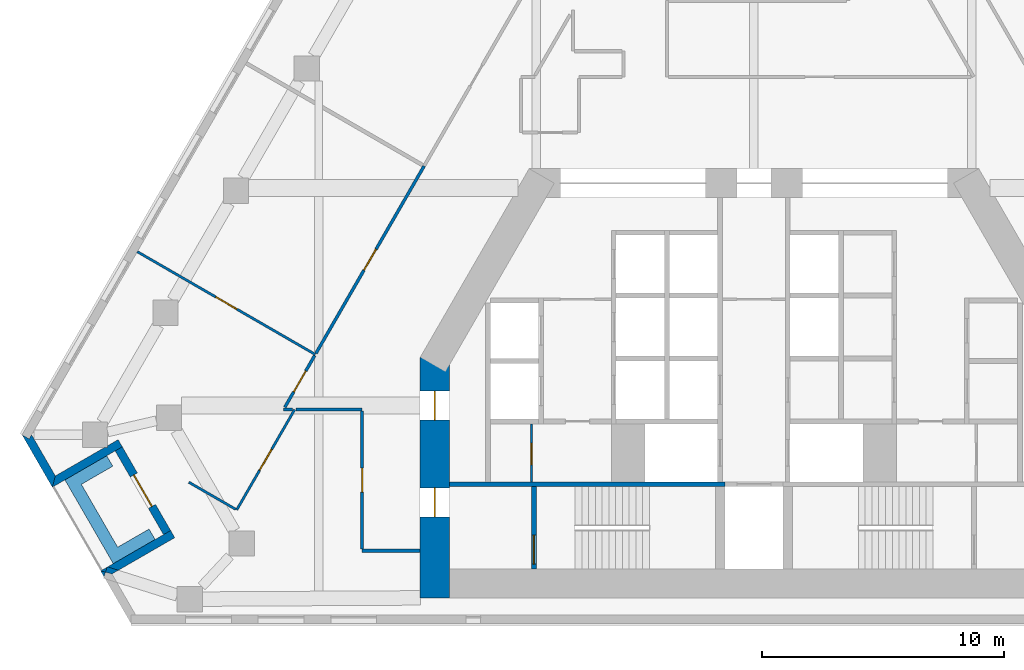
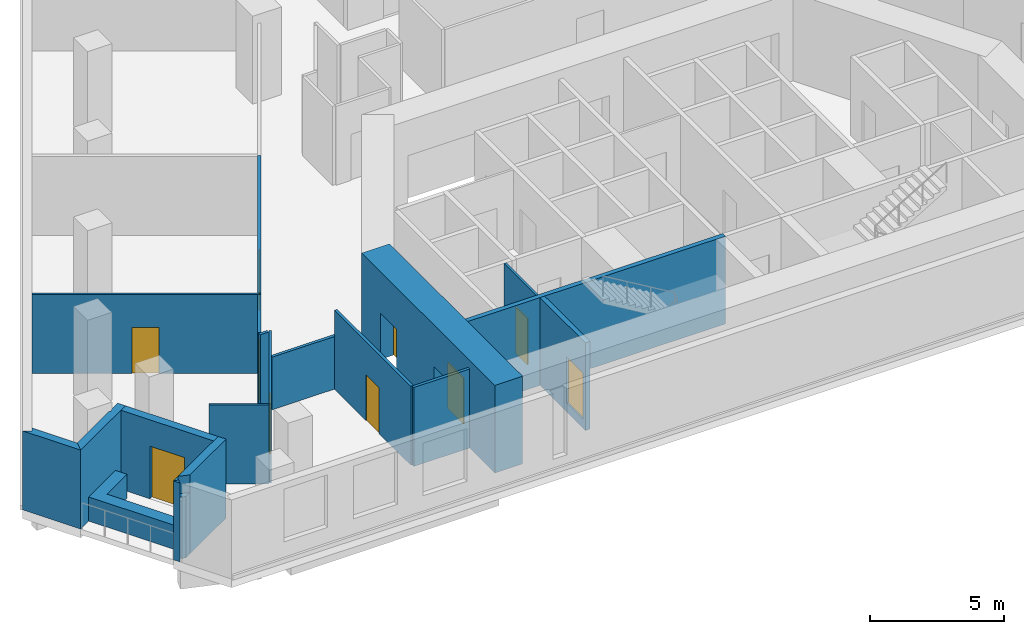
# One storey, part 3 of 10: 21 walls, 10 doors, 10 openings.
"""IFC4 building model written with IfcOpenShell, lengths in metres."""

from ifc_helpers import new_model, si_unit, direction, frame, frame_2d, origin, place, context, subcontext, project, spatial, polyline, rectangle, outline, extrude, material, layer, layer_set, type_object, element, fill, save


model = new_model("IFC4")

# Units and contexts
model_context = context("Model", 3, precision=1e-05, world=origin(), true_north=direction((0.0, 1.0)))
body_context = subcontext(model_context, "Body", "Model", "MODEL_VIEW")
ifc_project = project(units=[si_unit("LENGTHUNIT", "METRE"), si_unit("AREAUNIT", "SQUARE_METRE"), si_unit("VOLUMEUNIT", "CUBIC_METRE"), si_unit("PLANEANGLEUNIT", "RADIAN"), si_unit("MASSUNIT", "GRAM", prefix="KILO")], contexts=[model_context])

# Site, building, storey
site_placement = place(None, origin())
site = spatial("IfcSite", under=ifc_project, at=site_placement, CompositionType="ELEMENT")
building_placement = place(site_placement, origin())
building = spatial("IfcBuilding", under=site, at=building_placement, Name="Fogline Exchange Tower", CompositionType="ELEMENT")
storey_placement = place(building_placement, frame((0.0, 0.0, 108.10009765625)))
storey = spatial("IfcBuildingStorey", under=building, at=storey_placement, Name="L23", CompositionType="ELEMENT", Elevation=108.10009765625)

# Wall, opening, door
ifc_material_1 = material(Name="Blockwork partition", Category="masonry")
ifc_layer_1 = layer(ifc_material_1, 0.10009765625)
ifc_layer_set_1 = layer_set([ifc_layer_1], Name="CW10")
wall_type_1 = type_object("IfcWallType", Name="CW10", PredefinedType="PARTITIONING", material=ifc_layer_set_1)
wall_1_placement = place(storey_placement, frame((-9.199951171875, 5.85009765625, 0.0), z_axis=(0.0, 0.0, 1.0), x_axis=(0.0, 1.0, 0.0)))
wall_1 = element("IfcWall", 1, at=wall_1_placement, inside=storey, type_object=wall_type_1, Name="WC partition", PredefinedType="PARTITIONING", context=body_context, shape_type="SweptSolid", body=[
    extrude(rectangle(XDim=2.39990234375, YDim=0.10009765625, at=frame_2d((1.199951171875, 0.0))), origin(), (0.0, 0.0, 1.0), 3.599853515625),
])
opening_1_placement = place(wall_1_placement, frame((0.699951171875, 0.0, 0.0)))
opening_1 = element("IfcOpeningElement", 2, at=opening_1_placement, cuts=wall_1, Name="Opening T07-C009", PredefinedType="OPENING", context=body_context, shape_type="SweptSolid", body=[
    extrude(rectangle(XDim=0.89990234375, YDim=2.10009765625, at=frame_2d((0.449951171875, 1.050048828125))), frame((0.0, 0.06005859375, 0.0), z_axis=(0.0, -1.0, 0.0), x_axis=(1.0, 0.0, 0.0)), (0.0, 0.0, 1.0), 0.1201171875),
])
ifc_material_2 = material(Name="Steel and timber fire door", Category="steel")
door_type_1 = type_object("IfcDoorType", Name="D-CS1", OperationType="SINGLE_SWING_RIGHT", PredefinedType="DOOR", material=ifc_material_2)
door_1_placement = place(opening_1_placement, origin())
door_1 = element("IfcDoor", 3, at=door_1_placement, inside=storey, type_object=door_type_1, Name="Door to Cleaner's Store", OperationType="SINGLE_SWING_LEFT", OverallHeight=2.10009765625, OverallWidth=0.89990234375, PredefinedType="DOOR", context=body_context, shape_type="SweptSolid", body=[
    extrude(rectangle(XDim=0.89990234375, YDim=2.10009765625, at=frame_2d((0.449951171875, 1.050048828125))), frame((0.0, 0.02490234375, 0.0), z_axis=(0.0, -1.0, 0.0), x_axis=(1.0, 0.0, 0.0)), (0.0, 0.0, 1.0), 0.050048828125),
])
fill(opening_1, door_1)

# Wall
ifc_material_3 = material(Name="Concrete C40", Category="concrete")
ifc_layer_2 = layer(ifc_material_3, 0.199951171875)
ifc_layer_set_2 = layer_set([ifc_layer_2], Name="CW20R")
wall_type_2 = type_object("IfcWallType", Name="CW20R", PredefinedType="SOLIDWALL", material=ifc_layer_set_2)
wall_2_placement = place(storey_placement, frame((-12.60009765625, 5.75, -0.400146484375), z_axis=(0.0, 0.0, 1.0), x_axis=(1.0, 0.0, 0.0)))
element("IfcWall", 4, at=wall_2_placement, inside=storey, type_object=wall_type_2, Name="Stair enclosure wall", PredefinedType="SOLIDWALL", context=body_context, shape_type="SweptSolid", body=[
    extrude(rectangle(XDim=11.400146484375, YDim=0.199951171875, at=frame_2d((5.7001953125, 0.0))), origin(), (0.0, 0.0, 1.0), 4.0),
])

# Wall, opening, door
wall_3_placement = place(storey_placement, frame((-9.10009765625, 2.25, -0.400146484375), z_axis=(0.0, 0.0, 1.0), x_axis=(0.0, 1.0, 0.0)))
wall_3 = element("IfcWall", 5, at=wall_3_placement, inside=storey, type_object=wall_type_2, Name="Stair enclosure wall", PredefinedType="SOLIDWALL", context=body_context, shape_type="SweptSolid", body=[
    extrude(rectangle(XDim=3.39990234375, YDim=0.199951171875, at=frame_2d((1.699951171875, 0.0))), origin(), (0.0, 0.0, 1.0), 4.0),
])
opening_2_placement = place(wall_3_placement, frame((0.199951171875, 0.0, 0.39990234375)))
opening_2 = element("IfcOpeningElement", 6, at=opening_2_placement, cuts=wall_3, Name="Opening T07-C011", PredefinedType="OPENING", context=body_context, shape_type="SweptSolid", body=[
    extrude(rectangle(XDim=1.199951171875, YDim=2.10009765625, at=frame_2d((0.60009765625, 1.050048828125))), frame((0.0, 0.10986328125, 0.0), z_axis=(0.0, -1.0, 0.0), x_axis=(1.0, 0.0, 0.0)), (0.0, 0.0, 1.0), 0.219970703125),
])
door_type_2 = type_object("IfcDoorType", Name="D-ST1", OperationType="SINGLE_SWING_LEFT", PredefinedType="DOOR", material=ifc_material_2)
door_2_placement = place(opening_2_placement, frame((1.199951171875, 0.0, 0.0), z_axis=(0.0, 0.0, 1.0), x_axis=(-1.0, 0.0, 0.0)))
door_2 = element("IfcDoor", 7, at=door_2_placement, inside=storey, type_object=door_type_2, Name="Stair door ST1", OperationType="SINGLE_SWING_RIGHT", OverallHeight=2.10009765625, OverallWidth=1.199951171875, PredefinedType="DOOR", context=body_context, shape_type="SweptSolid", body=[
    extrude(rectangle(XDim=1.199951171875, YDim=2.10009765625, at=frame_2d((0.60009765625, 1.050048828125))), frame((0.0, 0.02490234375, 0.0), z_axis=(0.0, -1.0, 0.0), x_axis=(1.0, 0.0, 0.0)), (0.0, 0.0, 1.0), 0.050048828125),
])
fill(opening_2, door_2)

# Walls
ifc_material_4 = material(Name="Brick masonry", Category="masonry")
ifc_layer_3 = layer(ifc_material_4, 0.340087890625)
ifc_layer_set_3 = layer_set([ifc_layer_3], Name="FW1")
wall_type_3 = type_object("IfcWallType", Name="FW1", PredefinedType="SOLIDWALL", material=ifc_layer_set_3)
wall_4_placement = place(storey_placement, origin())
element("IfcWall", 8, at=wall_4_placement, inside=storey, type_object=wall_type_3, Name="Brick wall L23 SW-c1", PredefinedType="SOLIDWALL", context=body_context, shape_type="SweptSolid", body=[
    extrude(outline(polyline([(-29.015625, 5.6279296875), (-30.2666015625, 7.794921875), (-30.266357421875, 7.79541015625), (-29.971435546875, 7.625), (-29.873046875, 7.79541015625), (-28.890625, 6.09375), (-29.015380859375, 5.6279296875), (-29.015625, 5.6279296875)])), origin(), (0.0, 0.0, 1.0), 3.599853515625),
])
wall_5_placement = place(storey_placement, origin())
element("IfcWall", 9, at=wall_5_placement, inside=storey, type_object=wall_type_3, Name="Brick wall L23 SW-s1", PredefinedType="SOLIDWALL", context=body_context, shape_type="SweptSolid", body=[
    extrude(outline(polyline([(-26.856201171875, 7.269287109375), (-26.72412109375, 7.269287109375), (-26.72412109375, 7.345458984375), (-26.29296875, 7.594482421875), (-26.122314453125, 7.298828125), (-26.417236328125, 7.128662109375), (-29.016357421875, 5.628173828125), (-29.0166015625, 5.62841796875), (-28.8916015625, 6.093994140625), (-26.856201171875, 7.269287109375)])), origin(), (0.0, 0.0, 1.0), 3.599853515625),
])

# Wall, opening, door
wall_6_placement = place(storey_placement, frame((-26.270263671875, 7.214111328125, 0.0), z_axis=(0.0, 0.0, 1.0), x_axis=(0.49999894854, -0.866026010844, 0.0)))
wall_6 = element("IfcWall", 10, at=wall_6_placement, inside=storey, type_object=wall_type_3, Name="Brick wall L23 SW-bk", PredefinedType="SOLIDWALL", context=body_context, shape_type="SweptSolid", body=[
    extrude(rectangle(XDim=4.0, YDim=0.340087890625, at=frame_2d((2.0, 0.0))), origin(), (0.0, 0.0, 1.0), 3.599853515625),
])
opening_3_placement = place(wall_6_placement, frame((1.25, 0.0, 0.0)))
opening_3 = element("IfcOpeningElement", 11, at=opening_3_placement, cuts=wall_6, Name="Opening T07-E021", PredefinedType="OPENING", context=body_context, shape_type="SweptSolid", body=[
    extrude(rectangle(XDim=1.5, YDim=2.39990234375, at=frame_2d((0.75, 1.199951171875))), frame((0.0, 0.18017578125, 0.0), z_axis=(0.0, -1.0, 0.0), x_axis=(1.0, 0.0, 0.0)), (0.0, 0.0, 1.0), 0.360107421875),
])
ifc_material_5 = material(Name="Aluminium and glass", Category="aluminium")
door_type_3 = type_object("IfcDoorType", Name="ED4", OperationType="SINGLE_SWING_LEFT", PredefinedType="DOOR", material=ifc_material_5)
door_3_placement = place(opening_3_placement, frame((1.5, 0.0, 0.0), z_axis=(0.0, 0.0, 1.0), x_axis=(-1.0, 0.0, 0.0)))
door_3 = element("IfcDoor", 12, at=door_3_placement, inside=storey, type_object=door_type_3, Name="Balcony door L23 SW", OperationType="DOUBLE_DOOR_SINGLE_SWING", OverallHeight=2.39990234375, OverallWidth=1.5, PredefinedType="DOOR", context=body_context, shape_type="SweptSolid", body=[
    extrude(rectangle(XDim=1.5, YDim=2.39990234375, at=frame_2d((0.75, 1.199951171875))), frame((0.0, 0.02490234375, 0.0), z_axis=(0.0, -1.0, 0.0), x_axis=(1.0, 0.0, 0.0)), (0.0, 0.0, 1.0), 0.050048828125),
])
fill(opening_3, door_3)

# Walls
wall_7_placement = place(storey_placement, origin())
element("IfcWall", 13, at=wall_7_placement, inside=storey, type_object=wall_type_3, Name="Brick wall L23 SW-s2", PredefinedType="SOLIDWALL", context=body_context, shape_type="SweptSolid", body=[
    extrude(outline(polyline([(-26.727294921875, 2.332275390625), (-26.28564453125, 2.193359375), (-26.551025390625, 2.0400390625), (-26.817626953125, 2.111328125), (-26.752685546875, 2.317626953125), (-26.727294921875, 2.332275390625)])), origin(), (0.0, 0.0, 1.0), 2.7998046875),
])
wall_8_placement = place(storey_placement, origin())
element("IfcWall", 14, at=wall_8_placement, inside=storey, type_object=wall_type_3, Name="Brick wall L23 SW-s2", PredefinedType="SOLIDWALL", context=body_context, shape_type="SweptSolid", body=[
    extrude(outline(polyline([(-26.752685546875, 2.317626953125), (-26.817626953125, 2.111328125), (-27.016845703125, 2.164794921875), (-27.016845703125, 2.1650390625), (-26.752685546875, 2.317626953125)])), origin(), (0.0, 0.0, 1.0), 3.599853515625),
])
wall_9_placement = place(storey_placement, origin())
element("IfcWall", 15, at=wall_9_placement, inside=storey, type_object=wall_type_3, Name="Brick wall L23 SW-s2", PredefinedType="SOLIDWALL", context=body_context, shape_type="SweptSolid", body=[
    extrude(outline(polyline([(-24.41796875, 3.66552734375), (-24.122802734375, 3.8359375), (-23.952392578125, 3.540283203125), (-26.28564453125, 2.193359375), (-26.727294921875, 2.332275390625), (-24.41796875, 3.66552734375)])), origin(), (0.0, 0.0, 1.0), 3.599853515625),
])
wall_10_placement = place(storey_placement, origin())
element("IfcWall", 16, at=wall_10_placement, inside=storey, type_object=wall_type_3, Name="Brick wall L23 SW-c2", PredefinedType="SOLIDWALL", context=body_context, shape_type="SweptSolid", body=[
    extrude(outline(polyline([(-27.0166015625, 2.165771484375), (-27.0166015625, 2.166015625), (-26.817138671875, 2.112548828125), (-26.876708984375, 1.92333984375), (-27.0166015625, 2.165771484375)])), origin(), (0.0, 0.0, 1.0), 3.599853515625),
])
ifc_material_6 = material(Name="Concrete C30", Category="concrete")
ifc_layer_4 = layer(ifc_material_6, 0.199951171875)
ifc_layer_set_4 = layer_set([ifc_layer_4], Name="PL1")
wall_type_4 = type_object("IfcWallType", Name="PL1", PredefinedType="USERDEFINED", material=ifc_layer_set_4)
wall_11_placement = place(storey_placement, origin())
element("IfcWall", 17, at=wall_11_placement, inside=storey, type_object=wall_type_4, Name="PLANTER balcony L23 SW", ObjectType="PLANTER", PredefinedType="USERDEFINED", context=body_context, shape_type="SweptSolid", body=[
    extrude(outline(polyline([(-25.013916015625, 3.898193359375), (-26.31298828125, 3.148193359375), (-27.81298828125, 5.74609375), (-26.513916015625, 6.49609375), (-26.763916015625, 6.92919921875), (-28.49609375, 5.92919921875), (-26.49609375, 2.465087890625), (-26.06298828125, 2.715087890625), (-26.06298828125, 2.715087890625), (-24.763916015625, 3.465087890625), (-25.013916015625, 3.898193359375)])), origin(), (0.0, 0.0, 1.0), 1.099853515625),
])

# Wall, opening, door
ifc_material_7 = material(Name="Plasterboard partition, 2 layers each side on steel studs", Category="steel")
ifc_layer_5 = layer(ifc_material_7, 0.10009765625)
ifc_layer_set_5 = layer_set([ifc_layer_5], Name="PW1")
wall_type_5 = type_object("IfcWallType", Name="PW1", PredefinedType="PARTITIONING", material=ifc_layer_set_5)
wall_12_placement = place(storey_placement, frame((-18.139892578125, 11.11669921875, 0.0), z_axis=(0.0, 0.0, 1.0), x_axis=(-0.866021522889, 0.500006721848, 0.0)))
wall_12 = element("IfcWall", 18, at=wall_12_placement, inside=storey, type_object=wall_type_5, Name="wall-L23-W048", PredefinedType="PARTITIONING", context=body_context, shape_type="SweptSolid", body=[
    extrude(rectangle(XDim=8.5, YDim=0.10009765625, at=frame_2d((4.25, 0.0))), origin(), (0.0, 0.0, 1.0), 3.599853515625),
])
opening_4_placement = place(wall_12_placement, frame((3.75, 0.0, 0.0)))
opening_4 = element("IfcOpeningElement", 19, at=opening_4_placement, cuts=wall_12, Name="Opening T07-D017", PredefinedType="OPENING", context=body_context, shape_type="SweptSolid", body=[
    extrude(rectangle(XDim=1.0, YDim=2.10009765625, at=frame_2d((0.5, 1.050048828125))), frame((0.0, 0.06005859375, 0.0), z_axis=(0.0, -1.0, 0.0), x_axis=(1.0, 0.0, 0.0)), (0.0, 0.0, 1.0), 0.1201171875),
])
ifc_material_8 = material(Name="Timber door leaf with steel frame", Category="steel")
door_type_4 = type_object("IfcDoorType", Name="D1", OperationType="SINGLE_SWING_LEFT", PredefinedType="DOOR", material=ifc_material_8)
door_4_placement = place(opening_4_placement, origin())
door_4 = element("IfcDoor", 20, at=door_4_placement, inside=storey, type_object=door_type_4, Name="door-L23-D017", OperationType="SINGLE_SWING_LEFT", OverallHeight=2.10009765625, OverallWidth=1.0, PredefinedType="DOOR", context=body_context, shape_type="SweptSolid", body=[
    extrude(rectangle(XDim=1.0, YDim=2.10009765625, at=frame_2d((0.5, 1.050048828125))), frame((0.0, 0.02490234375, 0.0), z_axis=(0.0, -1.0, 0.0), x_axis=(1.0, 0.0, 0.0)), (0.0, 0.0, 1.0), 0.050048828125),
])
fill(opening_4, door_4)

wall_13_placement = place(storey_placement, frame((-18.992431640625, 8.840087890625, 0.0), z_axis=(0.0, 0.0, 1.0), x_axis=(-0.499989916489, -0.866031225424, 0.0)))
wall_13 = element("IfcWall", 21, at=wall_13_placement, inside=storey, type_object=wall_type_5, Name="wall-L23-W049", PredefinedType="PARTITIONING", context=body_context, shape_type="SweptSolid", body=[
    extrude(rectangle(XDim=4.79345703125, YDim=0.10009765625, at=frame_2d((2.396728515625, 0.0))), origin(), (0.0, 0.0, 1.0), 3.599853515625),
])
opening_5_placement = place(wall_13_placement, frame((1.896728515625, 0.0, 0.0)))
opening_5 = element("IfcOpeningElement", 22, at=opening_5_placement, cuts=wall_13, Name="Opening T07-D018", PredefinedType="OPENING", context=body_context, shape_type="SweptSolid", body=[
    extrude(rectangle(XDim=1.0, YDim=2.10009765625, at=frame_2d((0.5, 1.050048828125))), frame((0.0, 0.06005859375, 0.0), z_axis=(0.0, -1.0, 0.0), x_axis=(1.0, 0.0, 0.0)), (0.0, 0.0, 1.0), 0.1201171875),
])
door_5_placement = place(opening_5_placement, origin())
door_5 = element("IfcDoor", 23, at=door_5_placement, inside=storey, type_object=door_type_4, Name="door-L23-D018", OperationType="SINGLE_SWING_LEFT", OverallHeight=2.10009765625, OverallWidth=1.0, PredefinedType="DOOR", context=body_context, shape_type="SweptSolid", body=[
    extrude(rectangle(XDim=1.0, YDim=2.10009765625, at=frame_2d((0.5, 1.050048828125))), frame((0.0, 0.02490234375, 0.0), z_axis=(0.0, -1.0, 0.0), x_axis=(1.0, 0.0, 0.0)), (0.0, 0.0, 1.0), 0.050048828125),
])
fill(opening_5, door_5)

# Walls
wall_14_placement = place(storey_placement, frame((-21.432373046875, 4.7138671875, 0.0), z_axis=(0.0, 0.0, 1.0), x_axis=(-0.866020361036, 0.500008734195, 0.0)))
element("IfcWall", 24, at=wall_14_placement, inside=storey, type_object=wall_type_5, Name="wall-L23-W050", PredefinedType="PARTITIONING", context=body_context, shape_type="SweptSolid", body=[
    extrude(rectangle(XDim=2.2392578125, YDim=0.10009765625, at=frame_2d((1.11962890625, 0.0))), origin(), (0.0, 0.0, 1.0), 3.599853515625),
])
ifc_material_9 = material(Name="Plasterboard corridor partition with mineral wool, 2 layers each side")
ifc_layer_6 = layer(ifc_material_9, 0.125)
ifc_layer_set_6 = layer_set([ifc_layer_6], Name="PW2")
wall_type_6 = type_object("IfcWallType", Name="PW2", PredefinedType="PARTITIONING", material=ifc_layer_set_6)
wall_15_placement = place(storey_placement, frame((-13.800048828125, 3.0, 0.0), z_axis=(0.0, 0.0, 1.0), x_axis=(-1.0, 0.0, 0.0)))
element("IfcWall", 25, at=wall_15_placement, inside=storey, type_object=wall_type_6, Name="wall-L23-W008", PredefinedType="PARTITIONING", context=body_context, shape_type="SweptSolid", body=[
    extrude(rectangle(XDim=2.39990234375, YDim=0.125, at=frame_2d((1.199951171875, 0.0))), origin(), (0.0, 0.0, 1.0), 3.599853515625),
])

# Wall, opening, door
wall_16_placement = place(storey_placement, frame((-16.199951171875, 3.0625, 0.0), z_axis=(0.0, 0.0, 1.0), x_axis=(0.0, 1.0, 0.0)))
wall_16 = element("IfcWall", 26, at=wall_16_placement, inside=storey, type_object=wall_type_6, Name="wall-L23-W009", PredefinedType="PARTITIONING", context=body_context, shape_type="SweptSolid", body=[
    extrude(rectangle(XDim=5.715087890625, YDim=0.125, at=frame_2d((2.857421875, 0.0))), origin(), (0.0, 0.0, 1.0), 3.599853515625),
])
opening_6_placement = place(wall_16_placement, frame((2.357421875, 0.0, 0.0)))
opening_6 = element("IfcOpeningElement", 27, at=opening_6_placement, cuts=wall_16, Name="Opening T07-D004", PredefinedType="OPENING", context=body_context, shape_type="SweptSolid", body=[
    extrude(rectangle(XDim=1.0, YDim=2.10009765625, at=frame_2d((0.5, 1.050048828125))), frame((0.0, 0.072509765625, 0.0), z_axis=(0.0, -1.0, 0.0), x_axis=(1.0, 0.0, 0.0)), (0.0, 0.0, 1.0), 0.14501953125),
])
ifc_material_10 = material(Name="Fire-rated timber door leaf with steel frame", Category="steel")
door_type_5 = type_object("IfcDoorType", Name="D3", OperationType="SINGLE_SWING_LEFT", PredefinedType="DOOR", material=ifc_material_10)
door_6_placement = place(opening_6_placement, origin())
door_6 = element("IfcDoor", 28, at=door_6_placement, inside=storey, type_object=door_type_5, Name="door-L23-D004", OperationType="SINGLE_SWING_LEFT", OverallHeight=2.10009765625, OverallWidth=1.0, PredefinedType="DOOR", context=body_context, shape_type="SweptSolid", body=[
    extrude(rectangle(XDim=1.0, YDim=2.10009765625, at=frame_2d((0.5, 1.050048828125))), frame((0.0, 0.02490234375, 0.0), z_axis=(0.0, -1.0, 0.0), x_axis=(1.0, 0.0, 0.0)), (0.0, 0.0, 1.0), 0.050048828125),
])
fill(opening_6, door_6)

wall_17_placement = place(storey_placement, frame((-18.114501953125, 11.160400390625, 0.0), z_axis=(0.0, 0.0, 1.0), x_axis=(0.49998850867, 0.866032038205, 0.0)))
wall_17 = element("IfcWall", 29, at=wall_17_placement, inside=storey, type_object=wall_type_6, Name="wall-L23-W015", PredefinedType="PARTITIONING", context=body_context, shape_type="SweptSolid", body=[
    extrude(rectangle(XDim=8.949462890625, YDim=0.125, at=frame_2d((4.474609375, 0.0))), origin(), (0.0, 0.0, 1.0), 3.599853515625),
])
opening_7_placement = place(wall_17_placement, frame((3.974609375, 0.0, 0.0)))
opening_7 = element("IfcOpeningElement", 30, at=opening_7_placement, cuts=wall_17, Name="Opening T07-D007", PredefinedType="OPENING", context=body_context, shape_type="SweptSolid", body=[
    extrude(rectangle(XDim=1.0, YDim=2.10009765625, at=frame_2d((0.5, 1.050048828125))), frame((0.0, 0.072509765625, 0.0), z_axis=(0.0, -1.0, 0.0), x_axis=(1.0, 0.0, 0.0)), (0.0, 0.0, 1.0), 0.14501953125),
])
door_7_placement = place(opening_7_placement, origin())
door_7 = element("IfcDoor", 31, at=door_7_placement, inside=storey, type_object=door_type_5, Name="door-L23-D007", OperationType="SINGLE_SWING_LEFT", OverallHeight=2.10009765625, OverallWidth=1.0, PredefinedType="DOOR", context=body_context, shape_type="SweptSolid", body=[
    extrude(rectangle(XDim=1.0, YDim=2.10009765625, at=frame_2d((0.5, 1.050048828125))), frame((0.0, 0.02490234375, 0.0), z_axis=(0.0, -1.0, 0.0), x_axis=(1.0, 0.0, 0.0)), (0.0, 0.0, 1.0), 0.050048828125),
])
fill(opening_7, door_7)

# Wall
wall_18_placement = place(storey_placement, frame((-19.086669921875, 8.840087890625, 0.0), z_axis=(0.0, 0.0, 1.0), x_axis=(-1.0, 0.0, 0.0)))
element("IfcWall", 32, at=wall_18_placement, inside=storey, type_object=wall_type_6, Name="wall-L23-W016", PredefinedType="PARTITIONING", context=body_context, shape_type="SweptSolid", body=[
    extrude(rectangle(XDim=0.36767578125, YDim=0.125, at=frame_2d((0.183837890625, 0.0))), origin(), (0.0, 0.0, 1.0), 3.599853515625),
])

# Wall, opening, door
wall_19_placement = place(storey_placement, frame((-19.39990234375, 8.93408203125, 0.0), z_axis=(0.0, 0.0, 1.0), x_axis=(0.499987714637, 0.866032496626, 0.0)))
wall_19 = element("IfcWall", 33, at=wall_19_placement, inside=storey, type_object=wall_type_6, Name="wall-L23-W017", PredefinedType="PARTITIONING", context=body_context, shape_type="SweptSolid", body=[
    extrude(rectangle(XDim=2.4697265625, YDim=0.125, at=frame_2d((1.23486328125, 0.0))), origin(), (0.0, 0.0, 1.0), 3.599853515625),
])
opening_8_placement = place(wall_19_placement, frame((0.73486328125, 0.0, 0.0)))
opening_8 = element("IfcOpeningElement", 34, at=opening_8_placement, cuts=wall_19, Name="Opening T07-D008", PredefinedType="OPENING", context=body_context, shape_type="SweptSolid", body=[
    extrude(rectangle(XDim=1.0, YDim=2.10009765625, at=frame_2d((0.5, 1.050048828125))), frame((0.0, 0.072509765625, 0.0), z_axis=(0.0, -1.0, 0.0), x_axis=(1.0, 0.0, 0.0)), (0.0, 0.0, 1.0), 0.14501953125),
])
door_8_placement = place(opening_8_placement, origin())
door_8 = element("IfcDoor", 35, at=door_8_placement, inside=storey, type_object=door_type_5, Name="door-L23-D008", OperationType="SINGLE_SWING_LEFT", OverallHeight=2.10009765625, OverallWidth=1.0, PredefinedType="DOOR", context=body_context, shape_type="SweptSolid", body=[
    extrude(rectangle(XDim=1.0, YDim=2.10009765625, at=frame_2d((0.5, 1.050048828125))), frame((0.0, 0.02490234375, 0.0), z_axis=(0.0, -1.0, 0.0), x_axis=(1.0, 0.0, 0.0)), (0.0, 0.0, 1.0), 0.050048828125),
])
fill(opening_8, door_8)

# Wall
wall_20_placement = place(storey_placement, frame((-16.199951171875, 8.840087890625, 0.0), z_axis=(0.0, 0.0, 1.0), x_axis=(-1.0, 0.0, 0.0)))
element("IfcWall", 36, at=wall_20_placement, inside=storey, type_object=wall_type_6, Name="wall-L23-W018", PredefinedType="PARTITIONING", context=body_context, shape_type="SweptSolid", body=[
    extrude(rectangle(XDim=2.74853515625, YDim=0.125, at=frame_2d((1.374267578125, 0.0))), origin(), (0.0, 0.0, 1.0), 2.39990234375),
])

# Wall, openings, doors
ifc_material_11 = material(Name="Concrete C60", Category="concrete")
ifc_layer_7 = layer(ifc_material_11, 1.199951171875)
ifc_layer_set_7 = layer_set([ifc_layer_7], Name="SW02")
wall_type_7 = type_object("IfcWallType", Name="SW02", PredefinedType="SHEAR", material=ifc_layer_set_7)
wall_21_placement = place(storey_placement, frame((-13.199951171875, 10.9990234375, 0.0), z_axis=(0.0, 0.0, 1.0), x_axis=(0.0, -1.0, 0.0)))
wall_21 = element("IfcWall", 37, at=wall_21_placement, inside=storey, type_object=wall_type_7, Name="L23-W906", PredefinedType="SHEAR", context=body_context, shape_type="SweptSolid", body=[
    extrude(rectangle(XDim=9.948974609375, YDim=1.199951171875, at=frame_2d((4.974609375, 0.0))), origin(), (0.0, 0.0, 1.0), 4.0),
])
opening_9_placement = place(wall_21_placement, frame((5.39892578125, 0.0, 0.0)))
opening_9 = element("IfcOpeningElement", 38, at=opening_9_placement, cuts=wall_21, Name="Opening T07-C010", PredefinedType="OPENING", context=body_context, shape_type="SweptSolid", body=[
    extrude(rectangle(XDim=1.199951171875, YDim=2.10009765625, at=frame_2d((0.60009765625, 1.050048828125))), frame((0.0, 0.60986328125, 0.0), z_axis=(0.0, -1.0, 0.0), x_axis=(1.0, 0.0, 0.0)), (0.0, 0.0, 1.0), 1.219970703125),
])
opening_10_placement = place(wall_21_placement, frame((1.39892578125, 0.0, 0.0)))
opening_10 = element("IfcOpeningElement", 39, at=opening_10_placement, cuts=wall_21, Name="Opening T07-C012", PredefinedType="OPENING", context=body_context, shape_type="SweptSolid", body=[
    extrude(rectangle(XDim=1.199951171875, YDim=2.10009765625, at=frame_2d((0.60009765625, 1.050048828125))), frame((0.0, 0.60986328125, 0.0), z_axis=(0.0, -1.0, 0.0), x_axis=(1.0, 0.0, 0.0)), (0.0, 0.0, 1.0), 1.219970703125),
])
door_type_6 = type_object("IfcDoorType", Name="D-FR1", OperationType="SINGLE_SWING_RIGHT", PredefinedType="DOOR", material=ifc_material_2)
door_9_placement = place(opening_9_placement, origin())
door_9 = element("IfcDoor", 40, at=door_9_placement, inside=storey, type_object=door_type_6, Name="Front room door ST1", OperationType="SINGLE_SWING_LEFT", OverallHeight=2.10009765625, OverallWidth=1.199951171875, PredefinedType="DOOR", context=body_context, shape_type="SweptSolid", body=[
    extrude(rectangle(XDim=1.199951171875, YDim=2.10009765625, at=frame_2d((0.60009765625, 1.050048828125))), frame((0.0, 0.02490234375, 0.0), z_axis=(0.0, -1.0, 0.0), x_axis=(1.0, 0.0, 0.0)), (0.0, 0.0, 1.0), 0.050048828125),
])
fill(opening_9, door_9)
door_type_7 = type_object("IfcDoorType", Name="D-SV1", OperationType="SINGLE_SWING_LEFT", PredefinedType="DOOR", material=ifc_material_2)
door_10_placement = place(opening_10_placement, origin())
door_10 = element("IfcDoor", 41, at=door_10_placement, inside=storey, type_object=door_type_7, Name="Service door W", OperationType="SINGLE_SWING_LEFT", OverallHeight=2.10009765625, OverallWidth=1.199951171875, PredefinedType="DOOR", context=body_context, shape_type="SweptSolid", body=[
    extrude(rectangle(XDim=1.199951171875, YDim=2.10009765625, at=frame_2d((0.60009765625, 1.050048828125))), frame((0.0, 0.02490234375, 0.0), z_axis=(0.0, -1.0, 0.0), x_axis=(1.0, 0.0, 0.0)), (0.0, 0.0, 1.0), 0.050048828125),
])
fill(opening_10, door_10)

save(model, "model.ifc")
